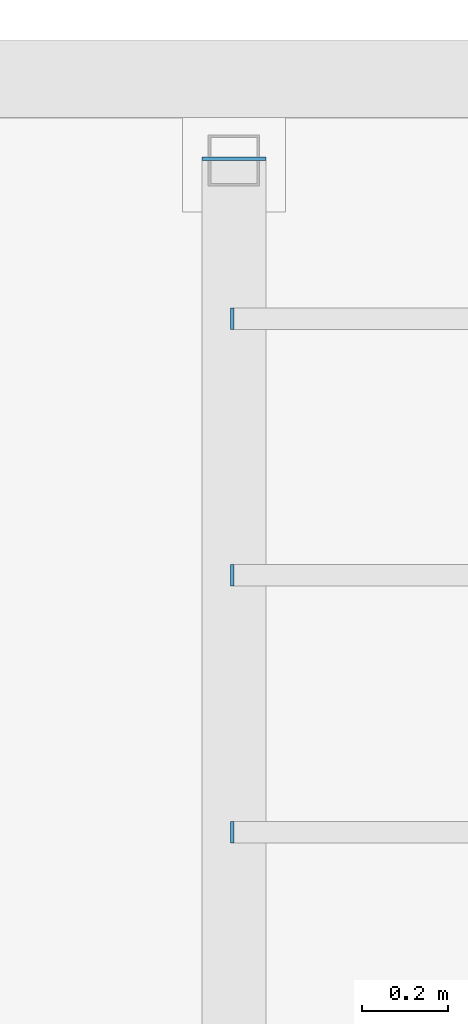
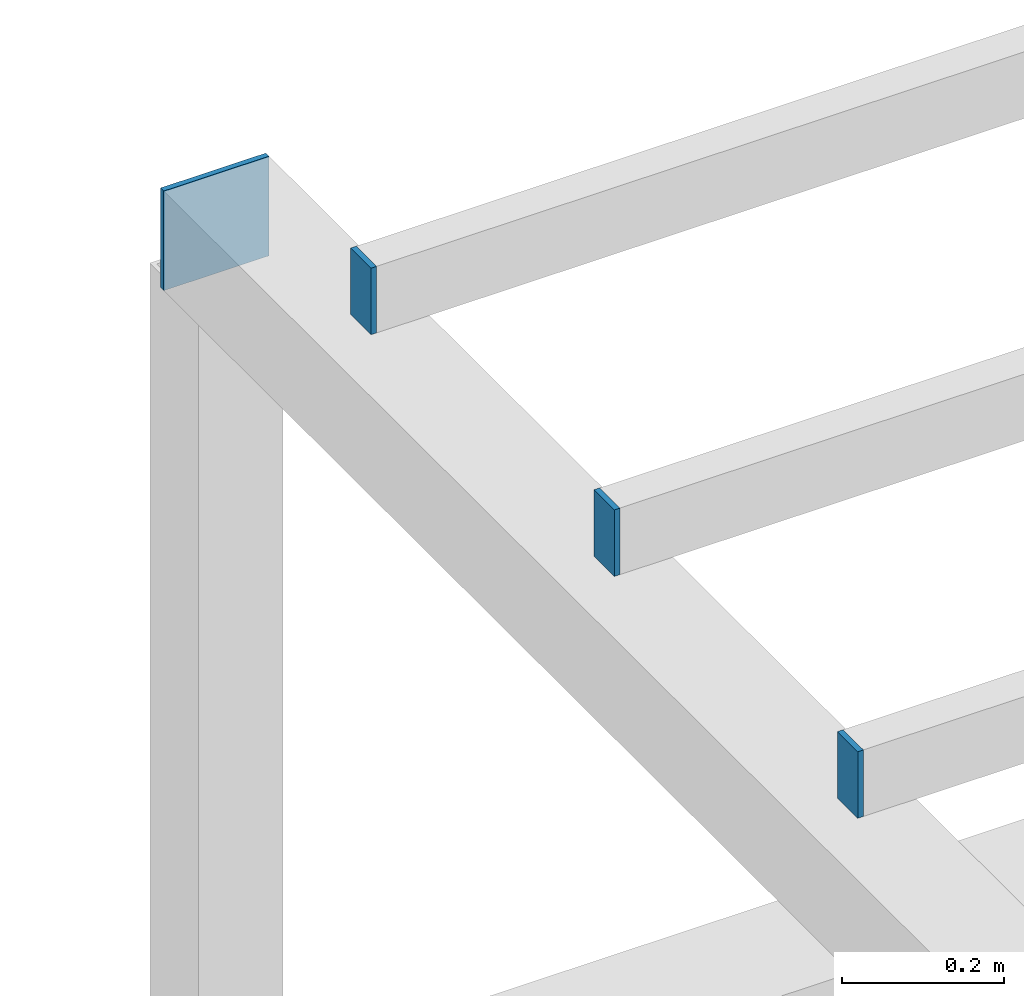
# One storey, part 47 of 51: 4 discrete accessories.
"""IFC4 building model written with IfcOpenShell, lengths in metres."""

from ifc_helpers import new_model, si_unit, direction, frame, origin, origin_2d, place, context, subcontext, project, spatial, rectangle, extrude, material, material_profile, profile_set, type_object, element, save


model = new_model("IFC4")

# Units and contexts
model_context = context("Model", 3, precision=1e-05, world=origin(), true_north=direction((0.0, 1.0)))
body_context = subcontext(model_context, "Body", "Model", "MODEL_VIEW")
ifc_project = project(units=[si_unit("LENGTHUNIT", "METRE"), si_unit("AREAUNIT", "SQUARE_METRE"), si_unit("VOLUMEUNIT", "CUBIC_METRE"), si_unit("PLANEANGLEUNIT", "RADIAN"), si_unit("MASSUNIT", "GRAM", prefix="KILO")], contexts=[model_context])

# Site, building, storey
site_placement = place(None, origin())
site = spatial("IfcSite", under=ifc_project, at=site_placement, CompositionType="ELEMENT")
building_placement = place(site_placement, origin())
building = spatial("IfcBuilding", under=site, at=building_placement, Name="Laocheng Heights Fire and Rescue Headquarters", CompositionType="ELEMENT")
storey_placement = place(building_placement, frame((0.0, 0.0, 21.0)))
storey = spatial("IfcBuildingStorey", under=building, at=storey_placement, Name="L05", CompositionType="ELEMENT", Elevation=21.0)

# Discrete accessories
ifc_material_1 = material(Name="Steel Q355B", Category="steel")
ifc_material_profile_1 = material_profile(ifc_material_1, rectangle(XDim=0.14990234375, YDim=0.14990234375, at=origin_2d()), Name="END CAP PLATE 150 x 150 x 8 FOR STEEL TRELLIS BEAM RHS 150x150x6")
ifc_profile_set_1 = profile_set([ifc_material_profile_1], Name="Steel Q355B")
discrete_accessory_type_1 = type_object("IfcDiscreteAccessoryType", Name="END CAP PLATE 150 x 150 x 8 FOR STEEL TRELLIS BEAM RHS 150x150x6", PredefinedType="BRACKET", material=ifc_profile_set_1)
discrete_accessory_placement = place(storey_placement, frame((102.0, 57.320068359375, 2.625), z_axis=(0.0, 1.0, 0.0), x_axis=(-1.0, 0.0, 0.0)))
element("IfcDiscreteAccessory", 1, at=discrete_accessory_placement, inside=storey, type_object=discrete_accessory_type_1, Name="Cap plate at Trellis beam end 2", PredefinedType="BRACKET", context=body_context, shape_type="SweptSolid", body=[
    extrude(rectangle(XDim=0.14990234375, YDim=0.14990234375, at=origin_2d()), origin(), (0.0, 0.0, 1.0), 0.0078125),
])
ifc_material_2 = material(Name="Steel Q355B", Category="steel")
ifc_material_profile_2 = material_profile(ifc_material_2, rectangle(XDim=0.050048828125, YDim=0.10009765625, at=origin_2d()), Name="END CAP PLATE 50 x 100 x 8 FOR STEEL TRELLIS JOIST RHS 100x50x4")
ifc_profile_set_2 = profile_set([ifc_material_profile_2], Name="Steel Q355B")
discrete_accessory_type_2 = type_object("IfcDiscreteAccessoryType", Name="END CAP PLATE 50 x 100 x 8 FOR STEEL TRELLIS JOIST RHS 100x50x4", PredefinedType="BRACKET", material=ifc_profile_set_2)
for number, where, z_axis, x_axis, name in (
    (2, (101.991943359375, 56.35009765625, 2.75), (1.0, 0.0, 0.0), (0.0, 1.0, 0.0), "Cap plate at Trellis crew garden joist end 1"),
    (3, (101.991943359375, 56.949951171875, 2.75), (1.0, 0.0, 0.0), (0.0, 1.0, 0.0), "Cap plate at Trellis crew garden joist end 1"),
    (4, (101.991943359375, 55.75, 2.75), (1.0, 0.0, 0.0), (0.0, 1.0, 0.0), "Cap plate at Trellis crew garden joist end 1"),
):
    element("IfcDiscreteAccessory", number, at=place(storey_placement, frame(where, z_axis=z_axis, x_axis=x_axis)), inside=storey, type_object=discrete_accessory_type_2, Name=name, PredefinedType="BRACKET", context=body_context, shape_type="SweptSolid", body=[
        extrude(rectangle(XDim=0.050048828125, YDim=0.10009765625, at=origin_2d()), origin(), (0.0, 0.0, 1.0), 0.008056640625),
    ])

save(model, "model.ifc")
